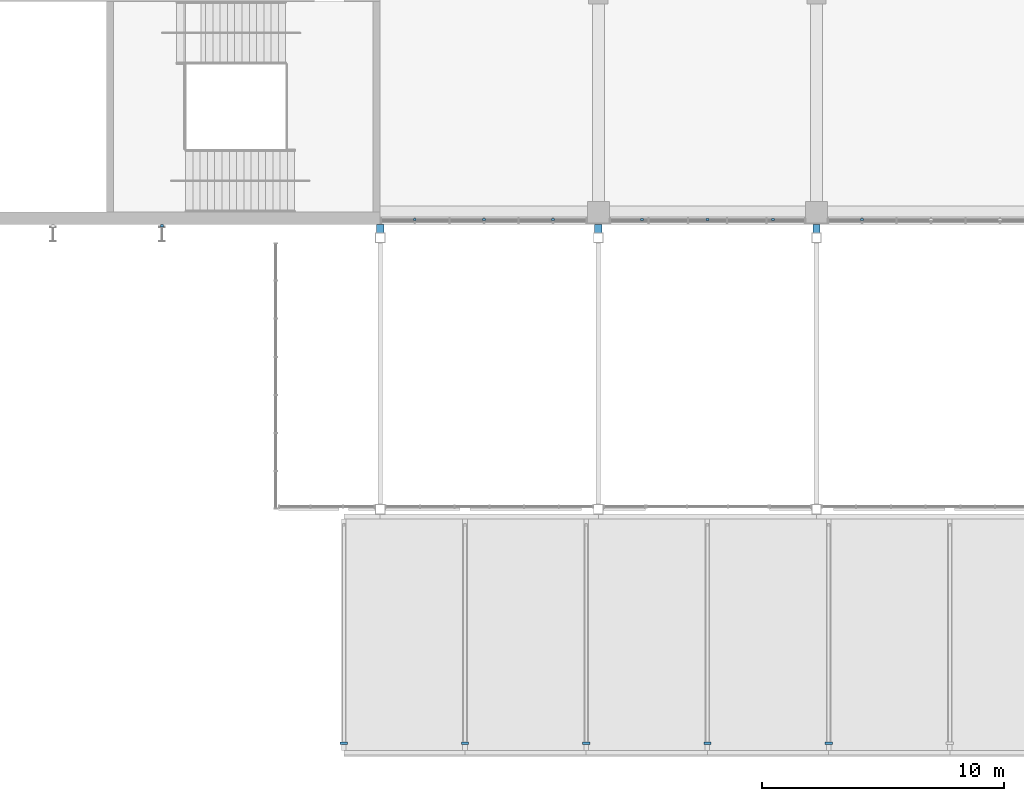
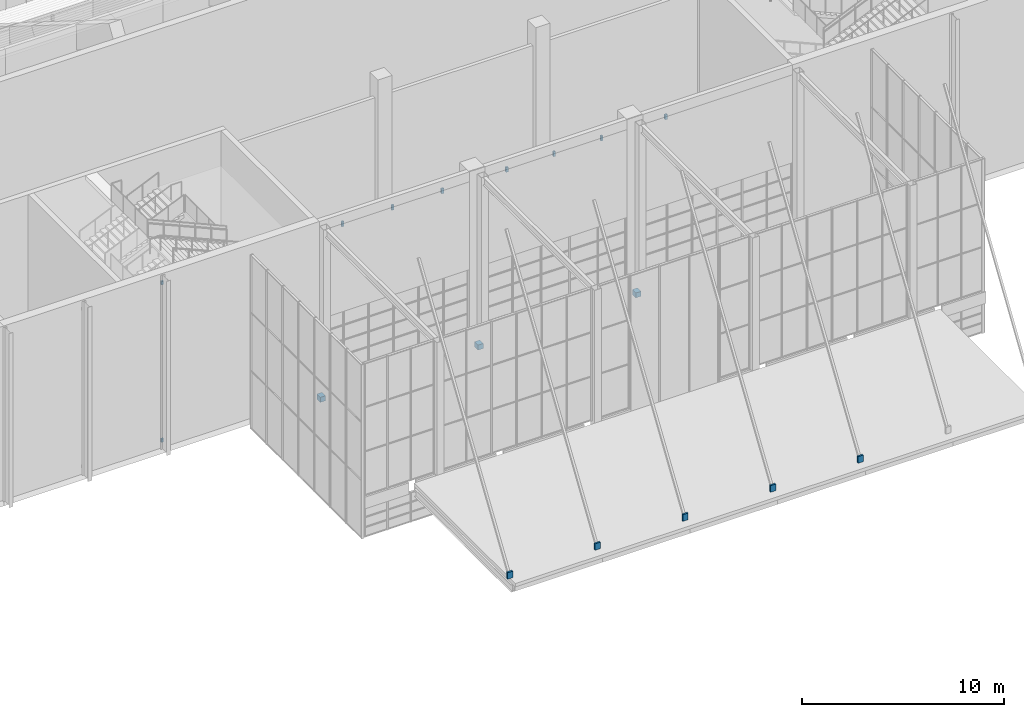
# One storey, part 110 of 182: 17 discrete accessories.
"""IFC4 building model written with IfcOpenShell, lengths in metres."""

from ifc_helpers import new_model, si_unit, direction, frame, origin, origin_2d, place, context, subcontext, project, spatial, rectangle, extrude, material, type_object, element, save


model = new_model("IFC4")

# Units and contexts
model_context = context("Model", 3, precision=1e-05, world=origin(), true_north=direction((0.0, 1.0)))
body_context = subcontext(model_context, "Body", "Model", "MODEL_VIEW")
ifc_project = project(units=[si_unit("LENGTHUNIT", "METRE"), si_unit("AREAUNIT", "SQUARE_METRE"), si_unit("VOLUMEUNIT", "CUBIC_METRE"), si_unit("PLANEANGLEUNIT", "RADIAN"), si_unit("MASSUNIT", "GRAM", prefix="KILO")], contexts=[model_context])

# Site, building, storey
site_placement = place(None, origin())
site = spatial("IfcSite", under=ifc_project, at=site_placement, CompositionType="ELEMENT")
building_placement = place(site_placement, origin())
building = spatial("IfcBuilding", under=site, at=building_placement, Name="Silverbay Arena", CompositionType="ELEMENT")
storey_placement = place(building_placement, frame((0.0, 0.0, 11.5)))
storey = spatial("IfcBuildingStorey", under=building, at=storey_placement, Name="L02", CompositionType="ELEMENT", Elevation=11.5)

# Discrete accessories
ifc_material = material(Name="Steel S355", Category="steel")
discrete_accessory_type = type_object("IfcDiscreteAccessoryType", Name="Steel bracket plate", PredefinedType="BRACKET", material=ifc_material)
for number, where, z_axis, x_axis, name in (
    (1, (118.425048828125, 17.699951171875, 9.60009765625), (0.0, 0.0, 1.0), (1.0, 0.0, 0.0), "Cladding hanger bracket"),
    (2, (121.27490234375, 17.699951171875, 9.60009765625), (0.0, 0.0, 1.0), (1.0, 0.0, 0.0), "Cladding hanger bracket"),
    (3, (124.125, 17.699951171875, 9.60009765625), (0.0, 0.0, 1.0), (1.0, 0.0, 0.0), "Cladding hanger bracket"),
    (4, (127.800048828125, 17.699951171875, 9.60009765625), (0.0, 0.0, 1.0), (1.0, 0.0, 0.0), "Cladding hanger bracket"),
    (5, (130.5, 17.699951171875, 9.60009765625), (0.0, 0.0, 1.0), (1.0, 0.0, 0.0), "Cladding hanger bracket"),
    (6, (133.199951171875, 17.699951171875, 9.60009765625), (0.0, 0.0, 1.0), (1.0, 0.0, 0.0), "Cladding hanger bracket"),
    (7, (136.875, 17.699951171875, 9.60009765625), (0.0, 0.0, 1.0), (1.0, 0.0, 0.0), "Cladding hanger bracket"),
):
    element("IfcDiscreteAccessory", number, at=place(storey_placement, frame(where, z_axis=z_axis, x_axis=x_axis)), inside=storey, type_object=discrete_accessory_type, Name=name, PredefinedType="BRACKET", context=body_context, shape_type="SweptSolid", body=[
        extrude(rectangle(XDim=0.1201171875, YDim=0.10009765625, at=origin_2d()), origin(), (0.0, 0.0, 1.0), 0.300048828125),
    ])
for number, where, z_axis, x_axis, name in (
    (8, (108.0, 17.449951171875, 0.39990234375), (0.0, 0.0, 1.0), (1.0, 0.0, 0.0), "Fin bracket"),
    (9, (108.0, 17.449951171875, 9.89990234375), (0.0, 0.0, 1.0), (1.0, 0.0, 0.0), "Fin bracket"),
):
    element("IfcDiscreteAccessory", number, at=place(storey_placement, frame(where, z_axis=z_axis, x_axis=x_axis)), inside=storey, type_object=discrete_accessory_type, Name=name, PredefinedType="BRACKET", context=body_context, shape_type="SweptSolid", body=[
        extrude(rectangle(XDim=0.1201171875, YDim=0.10009765625, at=origin_2d()), origin(), (0.0, 0.0, 1.0), 0.199951171875),
    ])
for number, where, z_axis, x_axis, name in (
    (10, (117.0, 17.324951171875, -0.14990234375), (0.0, 0.0, 1.0), (1.0, 0.0, 0.0), "Hall column bracket plate"),
    (11, (126.0, 17.324951171875, -0.14990234375), (0.0, 0.0, 1.0), (1.0, 0.0, 0.0), "Hall column bracket plate"),
    (12, (135.0, 17.324951171875, -0.14990234375), (0.0, 0.0, 1.0), (1.0, 0.0, 0.0), "Hall column bracket plate"),
):
    element("IfcDiscreteAccessory", number, at=place(storey_placement, frame(where, z_axis=z_axis, x_axis=x_axis)), inside=storey, type_object=discrete_accessory_type, Name=name, PredefinedType="BRACKET", context=body_context, shape_type="SweptSolid", body=[
        extrude(rectangle(XDim=0.300048828125, YDim=0.35009765625, at=origin_2d()), origin(), (0.0, 0.0, 1.0), 0.300048828125),
    ])
for number, where, z_axis, x_axis, name in (
    (13, (115.5, -3.89990234375, 2.5), (0.0, 0.0, 1.0), (1.0, 0.0, 0.0), "Canopy tie edge lug plate"),
    (14, (120.5, -3.89990234375, 2.5), (0.0, 0.0, 1.0), (1.0, 0.0, 0.0), "Canopy tie edge lug plate"),
    (15, (125.5, -3.89990234375, 2.5), (0.0, 0.0, 1.0), (1.0, 0.0, 0.0), "Canopy tie edge lug plate"),
    (16, (130.5, -3.89990234375, 2.5), (0.0, 0.0, 1.0), (1.0, 0.0, 0.0), "Canopy tie edge lug plate"),
    (17, (135.5, -3.89990234375, 2.5), (0.0, 0.0, 1.0), (1.0, 0.0, 0.0), "Canopy tie edge lug plate"),
):
    element("IfcDiscreteAccessory", number, at=place(storey_placement, frame(where, z_axis=z_axis, x_axis=x_axis)), inside=storey, type_object=discrete_accessory_type, Name=name, PredefinedType="BRACKET", context=body_context, shape_type="SweptSolid", body=[
        extrude(rectangle(XDim=0.300048828125, YDim=0.10009765625, at=origin_2d()), origin(), (0.0, 0.0, 1.0), 0.39990234375),
    ])

save(model, "model.ifc")
